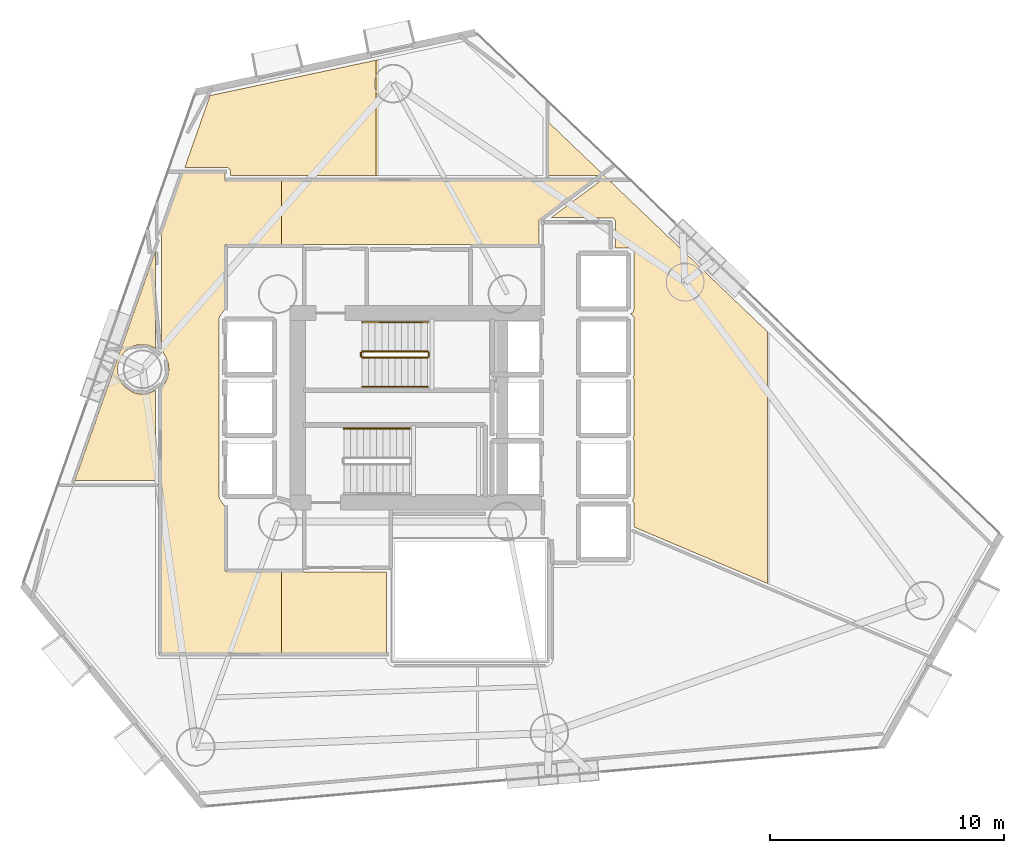
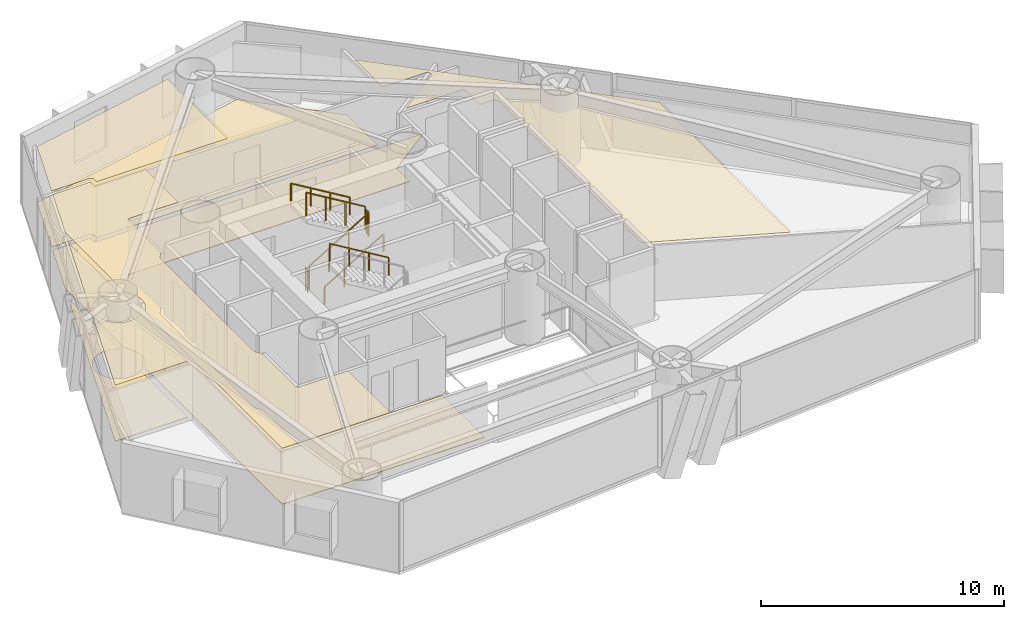
# One storey, part 22 of 23: 7 coverings, 7 railings.
"""IFC4 building model written with IfcOpenShell, lengths in metres."""

import ifcopenshell
import ifcopenshell.guid

model = None  # the IFC model being written
_history = None  # IfcOwnerHistory: only IFC2X3 demands one
_inside = {}  # id of a spatial element -> (the spatial element, [elements in it])
_under = {}  # id of a project, library or spatial element -> (it, [spatial elements below it])
_declared = {}  # id of a project -> (the project, [libraries it declares])
_typed = {}  # id of a type object -> (the type object, [elements of that type])
_made_of = {}  # id of a material, layer set ... -> (it, [elements and type objects made of it])


def new_model(schema):
    """Start an empty IFC model of exactly this schema.

    Asked for "IFC4X3", IfcOpenShell would pick the latest addendum, in which some entities
    have other attributes; the version numbers below select the first issue.
    IFC2X3 requires an IfcOwnerHistory on every rooted entity: one is made here for all.
    """
    global model, _history
    if schema == "IFC4X3":
        model = ifcopenshell.file(schema_version=(4, 3, 0, 0))
    else:
        model = ifcopenshell.file(schema=schema)
    _inside.clear()
    _under.clear()
    _declared.clear()
    _typed.clear()
    _made_of.clear()
    _history = None
    if model.schema == "IFC2X3":
        org = make("IfcOrganization", Name="unknown")
        user = make(
            "IfcPersonAndOrganization",
            ThePerson=make("IfcPerson", FamilyName="unknown"),
            TheOrganization=org,
        )
        app = make(
            "IfcApplication",
            ApplicationDeveloper=org,
            Version="unknown",
            ApplicationFullName="unknown",
            ApplicationIdentifier="unknown",
        )
        _history = make(
            "IfcOwnerHistory",
            OwningUser=user,
            OwningApplication=app,
            ChangeAction="ADDED",
            CreationDate=0,
        )
    return model


def make(cls, **values):
    """One entity of the class cls with the attributes given. An attribute that is None is left unset."""
    return model.create_entity(
        cls, **{name: value for name, value in values.items() if value is not None}
    )


def rooted(cls, **values):
    """An entity with a GlobalId (a new one), such as an element, a storey or a relation."""
    return make(cls, GlobalId=ifcopenshell.guid.new(), OwnerHistory=_history, **values)


def si_unit(unit_type, name, prefix=None):
    """IfcSIUnit, for example si_unit("LENGTHUNIT", "METRE", prefix="MILLI")."""
    return make("IfcSIUnit", UnitType=unit_type, Prefix=prefix, Name=name)


def assignment(units):
    """IfcUnitAssignment: the units of a project."""
    return None if units is None else make("IfcUnitAssignment", Units=units)


def point(xyz):
    """IfcCartesianPoint."""
    return None if xyz is None else make("IfcCartesianPoint", Coordinates=xyz)


def direction(xyz):
    """IfcDirection."""
    return None if xyz is None else make("IfcDirection", DirectionRatios=xyz)


def frame(location, z_axis=None, x_axis=None):
    """IfcAxis2Placement3D, a coordinate frame: its origin and axes. An axis left out is left unset."""
    return make(
        "IfcAxis2Placement3D",
        Location=point(location),
        Axis=direction(z_axis),
        RefDirection=direction(x_axis),
    )


def frame_2d(location, x_axis=None):
    """IfcAxis2Placement2D, a coordinate frame in the plane: its origin and x axis."""
    return make(
        "IfcAxis2Placement2D", Location=point(location), RefDirection=direction(x_axis)
    )


def origin():
    """The frame at (0, 0, 0) with its axes left unset."""
    return frame((0.0, 0.0, 0.0))


def origin_2d():
    """The frame at (0, 0) in the plane with its x axis left unset."""
    return frame_2d((0.0, 0.0))


def place(relative_to, where):
    """IfcLocalPlacement: puts the frame where relative to a parent placement (None: the world)."""
    return make(
        "IfcLocalPlacement", PlacementRelTo=relative_to, RelativePlacement=where
    )


def context(
    kind, dimensions, precision=None, world=None, true_north=None, identifier=None
):
    """IfcGeometricRepresentationContext, for example the 3D "Model" context."""
    return make(
        "IfcGeometricRepresentationContext",
        ContextIdentifier=identifier,
        ContextType=kind,
        CoordinateSpaceDimension=dimensions,
        Precision=precision,
        WorldCoordinateSystem=world,
        TrueNorth=true_north,
    )


def subcontext(parent, identifier, kind, view, scale=None):
    """IfcGeometricRepresentationSubContext, for example "Body" below "Model"."""
    return make(
        "IfcGeometricRepresentationSubContext",
        ContextIdentifier=identifier,
        ContextType=kind,
        ParentContext=parent,
        TargetScale=scale,
        TargetView=view,
    )


def project(units=None, contexts=None):
    """IfcProject with its units and contexts."""
    return rooted(
        "IfcProject",
        Name="project",
        RepresentationContexts=contexts,
        UnitsInContext=assignment(units),
    )


def spatial(cls, under=None, at=None, **own):
    """A site, building, storey or space (cls), placed at a placement, below another one or the project."""
    s = rooted(cls, ObjectPlacement=at, **own)
    if under is not None:
        _under.setdefault(under.id(), (under, []))[1].append(s)
    return s


def polyline(points):
    """IfcPolyline through the points."""
    return make("IfcPolyline", Points=[point(p) for p in points])


def profile(cls, at=None, kind="AREA", **sizes):
    """A parametric profile (cls). Its sizes go by their IFC names, for example OverallWidth=200.0."""
    return make(cls, ProfileType=kind, Position=at, **sizes)


def rectangle(**sizes):
    """IfcRectangleProfileDef."""
    return profile("IfcRectangleProfileDef", **sizes)


def outline(outer, holes=None, kind="AREA"):
    """IfcArbitraryClosedProfileDef: a profile drawn as a closed curve; with holes, ...WithVoids."""
    if holes is None:
        return make("IfcArbitraryClosedProfileDef", ProfileType=kind, OuterCurve=outer)
    return make(
        "IfcArbitraryProfileDefWithVoids",
        ProfileType=kind,
        OuterCurve=outer,
        InnerCurves=holes,
    )


def extrude(swept, where, along, depth):
    """IfcExtrudedAreaSolid: the profile swept, set in the frame where, extruded along a direction by depth."""
    return make(
        "IfcExtrudedAreaSolid",
        SweptArea=swept,
        Position=where,
        ExtrudedDirection=direction(along),
        Depth=depth,
    )


def shape(context_of_items, identifier, shape_type, items):
    """IfcShapeRepresentation: the items that make up one representation, for example the "Body"."""
    return make(
        "IfcShapeRepresentation",
        ContextOfItems=context_of_items,
        RepresentationIdentifier=identifier,
        RepresentationType=shape_type,
        Items=items,
    )


def material(Name=None, Category=None):
    """IfcMaterial."""
    return make("IfcMaterial", Name=Name, Category=Category)


def layer(
    of_material, thickness, ventilated=None, Name=None, Category=None, Priority=None
):
    """IfcMaterialLayer: one layer of a wall or slab, of a material (None: an air gap)."""
    return make(
        "IfcMaterialLayer",
        Material=of_material,
        LayerThickness=thickness,
        IsVentilated=ventilated,
        Name=Name,
        Category=Category,
        Priority=Priority,
    )


def layer_set(layers, Name=None):
    """IfcMaterialLayerSet."""
    return make("IfcMaterialLayerSet", MaterialLayers=layers, LayerSetName=Name)


def made_of(thing, what):
    """Note that an element or type object is made of a material, layer set ...; save() writes the relation."""
    if what is not None:
        _made_of.setdefault(what.id(), (what, []))[1].append(thing)
    return thing


def type_object(cls, material=None, **own):
    """A type object (cls), such as IfcWallType, which elements share."""
    return made_of(rooted(cls, **own), material)


def element(
    cls,
    number,
    at=None,
    inside=None,
    cuts=None,
    type_object=None,
    material=None,
    context=None,
    identifier="Body",
    shape_type=None,
    held_by="IfcProductDefinitionShape",
    body=None,
    shapes=None,
    **own,
):
    """One element of the class cls, such as IfcWall. Its Tag is "e" and its number.

    at: its placement. inside: the storey or other place that contains it. cuts: it is an
    opening in that element (IfcRelVoidsElement). A single representation is given by context,
    identifier, shape_type and body (its items); several are given by shapes. held_by: the class
    of the entity that holds the representations. save() writes the other relations.
    """
    e = rooted(cls, Tag="e%d" % number, ObjectPlacement=at, **own)
    if body is not None:
        shapes = [shape(context, identifier, shape_type, body)]
    if shapes is not None:
        e.Representation = make(held_by, Representations=shapes)
    if inside is not None:
        _inside.setdefault(inside.id(), (inside, []))[1].append(e)
    if cuts is not None:
        rooted(
            "IfcRelVoidsElement", RelatingBuildingElement=cuts, RelatedOpeningElement=e
        )
    if type_object is not None:
        _typed.setdefault(type_object.id(), (type_object, []))[1].append(e)
    return made_of(e, material)


def aggregate(whole, parts):
    """IfcRelAggregates: a whole, such as a stair, and the parts it consists of."""
    return rooted("IfcRelAggregates", RelatingObject=whole, RelatedObjects=parts)


def save(model, path):
    """Write the relations noted so far, then the file.

    IfcRelAggregates (storeys below a building ...), IfcRelContainedInSpatialStructure (elements
    in a storey), IfcRelDefinesByType, IfcRelAssociatesMaterial and IfcRelDeclares: one each for
    every whole, place, type object, material and project.
    """
    for whole, parts in _under.values():
        aggregate(whole, parts)
    for where, things in _inside.values():
        rooted(
            "IfcRelContainedInSpatialStructure",
            RelatedElements=things,
            RelatingStructure=where,
        )
    for kind, things in _typed.values():
        rooted("IfcRelDefinesByType", RelatedObjects=things, RelatingType=kind)
    for what, things in _made_of.values():
        rooted("IfcRelAssociatesMaterial", RelatedObjects=things, RelatingMaterial=what)
    for by, libraries in _declared.values():
        rooted("IfcRelDeclares", RelatingContext=by, RelatedDefinitions=libraries)
    model.write(path)


model = new_model("IFC4")

# Units and contexts
model_context = context("Model", 3, precision=1e-05, world=origin(), true_north=direction((0.0, 1.0)))
body_context = subcontext(model_context, "Body", "Model", "MODEL_VIEW")
ifc_project = project(units=[si_unit("LENGTHUNIT", "METRE"), si_unit("AREAUNIT", "SQUARE_METRE"), si_unit("VOLUMEUNIT", "CUBIC_METRE"), si_unit("PLANEANGLEUNIT", "RADIAN"), si_unit("MASSUNIT", "GRAM", prefix="KILO")], contexts=[model_context])

# Site, building, storey
site_placement = place(None, origin())
site = spatial("IfcSite", under=ifc_project, at=site_placement, CompositionType="ELEMENT")
building_placement = place(site_placement, origin())
building = spatial("IfcBuilding", under=site, at=building_placement, Name="Qianvela Tower", CompositionType="ELEMENT")
storey_placement = place(building_placement, frame((0.0, 0.0, 63.60009765625)))
storey = spatial("IfcBuildingStorey", under=building, at=storey_placement, Name="L15", CompositionType="ELEMENT", Elevation=63.60009765625)

# Coverings
ifc_material_1 = material(Name="Perforated Mineral Acoustic Ceiling Tile")
ifc_layer_1 = layer(ifc_material_1, 0.02490234375)
ifc_layer_set_1 = layer_set([ifc_layer_1], Name="Perforated Mineral Acoustic Ceiling Tile")
covering_type_1 = type_object("IfcCoveringType", Name="COV-CEIL-ACOUSTIC-25", PredefinedType="CEILING", material=ifc_layer_set_1)
covering_1_placement = place(storey_placement, frame((0.0, 0.0, 2.81494140625)))
element("IfcCovering", 1, at=covering_1_placement, inside=storey, type_object=covering_type_1, Name="L15 Acoustic Ceiling Bay 1 L15 Floor Corridor", PredefinedType="CEILING", context=body_context, shape_type="SweptSolid", body=[
    extrude(outline(polyline([(23.868408203125, 30.7705078125), (23.864990234375, 30.777587890625), (23.6298828125, 31.21728515625), (23.6298828125, 36.09130859375), (24.5537109375, 38.719970703125), (26.340087890625, 38.719970703125), (26.340087890625, 38.449951171875), (26.34033203125, 38.442138671875), (26.341552734375, 38.434326171875), (26.343505859375, 38.4267578125), (26.34619140625, 38.41943359375), (26.349365234375, 38.412353515625), (26.353515625, 38.405517578125), (26.358154296875, 38.399169921875), (26.36328125, 38.393310546875), (26.369140625, 38.38818359375), (26.37548828125, 38.383544921875), (26.38232421875, 38.37939453125), (26.389404296875, 38.376220703125), (26.396728515625, 38.373291015625), (26.404296875, 38.37158203125), (26.412109375, 38.370361328125), (26.419921875, 38.3701171875), (28.760009765625, 38.3701171875), (28.760009765625, 35.659912109375), (26.419921875, 35.659912109375), (26.412109375, 35.65966796875), (26.404296875, 35.658447265625), (26.396728515625, 35.656494140625), (26.389404296875, 35.65380859375), (26.38232421875, 35.650634765625), (26.37548828125, 35.646484375), (26.369140625, 35.641845703125), (26.36328125, 35.63671875), (26.358154296875, 35.630859375), (26.353515625, 35.62451171875), (26.349365234375, 35.61767578125), (26.34619140625, 35.610595703125), (26.343505859375, 35.603271484375), (26.341552734375, 35.595703125), (26.34033203125, 35.587890625), (26.340087890625, 35.580078125), (26.340087890625, 32.89599609375), (26.139404296875, 32.62548828125), (26.135498046875, 32.61962890625), (26.132080078125, 32.61376953125), (26.12939453125, 32.607421875), (26.126953125, 32.60107421875), (26.103515625, 32.523193359375), (26.1015625, 32.515625), (26.100341796875, 32.5078125), (26.10009765625, 32.5), (26.10009765625, 24.89990234375), (26.100341796875, 24.89208984375), (26.1015625, 24.884521484375), (26.103515625, 24.876708984375), (26.126953125, 24.799072265625), (26.12939453125, 24.79248046875), (26.132080078125, 24.786376953125), (26.135498046875, 24.7802734375), (26.139404296875, 24.774658203125), (26.340087890625, 24.50390625), (26.340087890625, 21.780029296875), (26.34033203125, 21.772216796875), (26.341552734375, 21.764404296875), (26.343505859375, 21.7568359375), (26.34619140625, 21.74951171875), (26.349365234375, 21.7421875), (26.353515625, 21.735595703125), (26.358154296875, 21.729248046875), (26.36328125, 21.723388671875), (26.369140625, 21.71826171875), (26.37548828125, 21.71337890625), (26.38232421875, 21.70947265625), (26.389404296875, 21.7060546875), (26.396728515625, 21.703369140625), (26.404296875, 21.701416015625), (26.412109375, 21.700439453125), (26.419921875, 21.699951171875), (28.760009765625, 21.699951171875), (28.760009765625, 18.22998046875), (23.6298828125, 18.22998046875), (23.6298828125, 29.462646484375), (23.864990234375, 29.90234375), (23.868408203125, 29.909423828125), (23.87109375, 29.9169921875), (23.930419921875, 30.11279296875), (23.932373046875, 30.12060546875), (23.93359375, 30.12841796875), (23.95361328125, 30.332275390625), (23.9541015625, 30.340087890625), (23.95361328125, 30.347900390625), (23.93359375, 30.5517578125), (23.932373046875, 30.5595703125), (23.930419921875, 30.567138671875), (23.87109375, 30.76318359375), (23.868408203125, 30.7705078125)])), origin(), (0.0, 0.0, 1.0), 0.02490234375),
])
covering_2_placement = place(storey_placement, frame((0.0, 0.0, 2.81494140625)))
element("IfcCovering", 2, at=covering_2_placement, inside=storey, type_object=covering_type_1, Name="L15 Acoustic Ceiling Bay 1 Maker Craft Workshop L15-02", PredefinedType="CEILING", context=body_context, shape_type="SweptSolid", body=[
    extrude(outline(polyline([(42.298583984375, 38.321533203125), (42.303955078125, 38.326171875), (42.30908203125, 38.3310546875), (42.31396484375, 38.336669921875), (42.318115234375, 38.342529296875), (42.32177734375, 38.3486328125), (42.35400390625, 38.410400390625), (42.357177734375, 38.417236328125), (42.359619140625, 38.424560546875), (42.361572265625, 38.431884765625), (42.362548828125, 38.439208984375), (42.363037109375, 38.44677734375), (42.36279296875, 38.454345703125), (42.36181640625, 38.4619140625), (42.360107421875, 38.46923828125), (42.357666015625, 38.476318359375), (42.335205078125, 38.53466796875), (42.331787109375, 38.5419921875), (42.327880859375, 38.548828125), (42.3232421875, 38.555419921875), (42.31787109375, 38.561279296875), (42.31201171875, 38.56689453125), (42.3056640625, 38.57177734375), (42.298828125, 38.575927734375), (42.291748046875, 38.579345703125), (42.234375, 38.603759765625), (42.226806640625, 38.6064453125), (42.218994140625, 38.6083984375), (42.211181640625, 38.609619140625), (42.203125, 38.610107421875), (40.162109375, 38.610107421875), (40.162109375, 40.871337890625), (49.487060546875, 31.9560546875), (49.487060546875, 21.20361328125), (43.7998046875, 23.609130859375), (43.79931640625, 24.61376953125), (43.798828125, 24.622314453125), (43.797607421875, 24.630615234375), (43.79541015625, 24.638916015625), (43.792236328125, 24.646728515625), (43.788330078125, 24.654296875), (43.78369140625, 24.661376953125), (43.72509765625, 24.740234375), (43.725830078125, 24.740478515625), (43.733154296875, 24.7451171875), (43.73974609375, 24.75), (43.74609375, 24.755859375), (43.75146484375, 24.76220703125), (43.75634765625, 24.76904296875), (43.76025390625, 24.776611328125), (43.763427734375, 24.7841796875), (43.79541015625, 24.873046875), (43.79736328125, 24.879638671875), (43.798828125, 24.88623046875), (43.7998046875, 24.89306640625), (43.800048828125, 24.89990234375), (43.800048828125, 27.300048828125), (43.799560546875, 27.30810546875), (43.79833984375, 27.31591796875), (43.79638671875, 27.323486328125), (43.793701171875, 27.3310546875), (43.7646484375, 27.39990234375), (43.793701171875, 27.468994140625), (43.79638671875, 27.476318359375), (43.79833984375, 27.484130859375), (43.799560546875, 27.491943359375), (43.800048828125, 27.5), (43.800048828125, 29.89990234375), (43.799560546875, 29.907958984375), (43.79833984375, 29.915771484375), (43.79638671875, 29.923583984375), (43.793701171875, 29.93115234375), (43.7646484375, 30.0), (43.793701171875, 30.06884765625), (43.79638671875, 30.076416015625), (43.79833984375, 30.084228515625), (43.799560546875, 30.09228515625), (43.800048828125, 30.10009765625), (43.7939453125, 32.540771484375), (43.793701171875, 32.548583984375), (43.79248046875, 32.556396484375), (43.79052734375, 32.56396484375), (43.787841796875, 32.5712890625), (43.784423828125, 32.578369140625), (43.780517578125, 32.585205078125), (43.7353515625, 32.652587890625), (43.73095703125, 32.658447265625), (43.726318359375, 32.6640625), (43.720947265625, 32.6689453125), (43.715087890625, 32.673583984375), (43.708984375, 32.677490234375), (43.702392578125, 32.680908203125), (43.69580078125, 32.68359375), (43.644287109375, 32.701904296875), (43.722412109375, 32.739013671875), (43.729248046875, 32.74267578125), (43.73583984375, 32.746826171875), (43.741943359375, 32.751953125), (43.74755859375, 32.757568359375), (43.75244140625, 32.763427734375), (43.7568359375, 32.77001953125), (43.760498046875, 32.777099609375), (43.763427734375, 32.7841796875), (43.79541015625, 32.873046875), (43.79736328125, 32.879638671875), (43.798828125, 32.886474609375), (43.7998046875, 32.893310546875), (43.800048828125, 32.900146484375), (43.79736328125, 35.327392578125), (43.796875, 35.3359375), (43.79541015625, 35.344482421875), (43.793212890625, 35.352783203125), (43.7900390625, 35.36083984375), (43.785888671875, 35.368408203125), (43.7373046875, 35.44921875), (43.732666015625, 35.456298828125), (43.727294921875, 35.462890625), (43.72119140625, 35.46875), (43.71435546875, 35.47412109375), (43.70703125, 35.478515625), (43.699462890625, 35.482177734375), (43.624267578125, 35.51318359375), (43.616943359375, 35.515869140625), (43.609375, 35.517822265625), (43.6015625, 35.518798828125), (43.59375, 35.519287109375), (43.0, 35.52001953125), (43.010009765625, 36.6494140625), (43.009765625, 36.6572265625), (43.008544921875, 36.6650390625), (43.006591796875, 36.6728515625), (43.00390625, 36.680419921875), (43.00048828125, 36.6875), (42.99658203125, 36.6943359375), (42.947021484375, 36.768310546875), (42.9423828125, 36.774658203125), (42.937255859375, 36.780517578125), (42.931396484375, 36.78564453125), (42.925048828125, 36.790283203125), (42.91845703125, 36.79443359375), (42.911376953125, 36.7978515625), (42.904052734375, 36.80029296875), (42.896484375, 36.80224609375), (42.888671875, 36.803466796875), (42.880859375, 36.803955078125), (40.262451171875, 36.8095703125), (42.298583984375, 38.321533203125)])), origin(), (0.0, 0.0, 1.0), 0.02490234375),
])
covering_3_placement = place(storey_placement, frame((0.0, 0.0, 2.81494140625)))
element("IfcCovering", 3, at=covering_3_placement, inside=storey, type_object=covering_type_1, Name="L15 Acoustic Ceiling Bay 1 Student Reading Library L15-03", PredefinedType="CEILING", context=body_context, shape_type="SweptSolid", body=[
    extrude(outline(polyline([(26.577880859375, 38.82373046875), (26.576904296875, 38.83154296875), (26.574951171875, 38.839111328125), (26.572265625, 38.846435546875), (26.56884765625, 38.853515625), (26.56494140625, 38.860107421875), (26.560302734375, 38.866455078125), (26.554931640625, 38.872314453125), (26.4921875, 38.93505859375), (26.486328125, 38.940185546875), (26.47998046875, 38.945068359375), (26.473388671875, 38.948974609375), (26.46630859375, 38.952392578125), (26.458984375, 38.955078125), (26.451416015625, 38.956787109375), (26.443603515625, 38.9580078125), (26.435791015625, 38.95849609375), (24.637939453125, 38.9599609375), (25.712890625, 42.01953125), (32.791259765625, 43.52734375), (32.791259765625, 38.606201171875), (26.57958984375, 38.610107421875), (26.57861328125, 38.81591796875), (26.577880859375, 38.82373046875)])), origin(), (0.0, 0.0, 1.0), 0.02490234375),
])
covering_4_placement = place(storey_placement, frame((0.0, 0.0, 2.81494140625)))
element("IfcCovering", 4, at=covering_4_placement, inside=storey, type_object=covering_type_1, Name="L15 Acoustic Ceiling Media Practice Cinema L15-04", PredefinedType="CEILING", context=body_context, shape_type="SweptSolid", body=[
    extrude(outline(polyline([(23.39013671875, 29.440185546875), (23.39453125, 25.587158203125), (19.939208984375, 25.587158203125), (23.389892578125, 35.408203125), (23.390380859375, 31.23974609375), (23.0517578125, 31.3798828125), (23.04443359375, 31.382568359375), (23.036865234375, 31.384521484375), (23.029052734375, 31.3857421875), (23.021240234375, 31.385986328125), (22.63671875, 31.385986328125), (22.62890625, 31.3857421875), (22.62109375, 31.384521484375), (22.613525390625, 31.382568359375), (22.4287109375, 31.32666015625), (22.42138671875, 31.323974609375), (22.414306640625, 31.320556640625), (22.40771484375, 31.31640625), (22.088134765625, 31.10302734375), (22.081787109375, 31.098388671875), (22.075927734375, 31.093017578125), (22.07080078125, 31.08740234375), (21.9482421875, 30.93798828125), (21.943603515625, 30.931640625), (21.939453125, 30.9248046875), (21.93603515625, 30.91796875), (21.7890625, 30.562744140625), (21.786376953125, 30.555419921875), (21.784423828125, 30.5478515625), (21.783203125, 30.5400390625), (21.764404296875, 30.347900390625), (21.763916015625, 30.340087890625), (21.764404296875, 30.332275390625), (21.783203125, 30.139892578125), (21.784423828125, 30.132080078125), (21.786376953125, 30.12451171875), (21.7890625, 30.1171875), (21.93603515625, 29.76220703125), (21.939453125, 29.755126953125), (21.943603515625, 29.748291015625), (21.9482421875, 29.741943359375), (22.07080078125, 29.5927734375), (22.075927734375, 29.5869140625), (22.081787109375, 29.581787109375), (22.088134765625, 29.576904296875), (22.40771484375, 29.363525390625), (22.414306640625, 29.359375), (22.42138671875, 29.356201171875), (22.4287109375, 29.353515625), (22.613525390625, 29.29736328125), (22.62109375, 29.29541015625), (22.62890625, 29.294189453125), (22.63671875, 29.2939453125), (23.021240234375, 29.2939453125), (23.029052734375, 29.294189453125), (23.036865234375, 29.29541015625), (23.04443359375, 29.29736328125), (23.0517578125, 29.300048828125), (23.39013671875, 29.440185546875)])), origin(), (0.0, 0.0, 1.0), 0.02490234375),
])
ifc_material_2 = material(Name="Engineered Acoustic Oak Timber Flooring", Category="wood")
ifc_layer_2 = layer(ifc_material_2, 0.02001953125)
ifc_layer_set_2 = layer_set([ifc_layer_2], Name="Engineered Acoustic Oak Timber Flooring")
covering_type_2 = type_object("IfcCoveringType", Name="COV-FLOOR-OAK-20", PredefinedType="FLOORING", material=ifc_layer_set_2)
covering_5_placement = place(storey_placement, origin())
element("IfcCovering", 5, at=covering_5_placement, inside=storey, type_object=covering_type_2, Name="L15 Finish Flooring Student Reading Library L15-03", PredefinedType="FLOORING", context=body_context, shape_type="SweptSolid", body=[
    extrude(outline(polyline([(26.57861328125, 38.81591796875), (26.577880859375, 38.82373046875), (26.576904296875, 38.83154296875), (26.574951171875, 38.839111328125), (26.572265625, 38.846435546875), (26.56884765625, 38.853515625), (26.56494140625, 38.860107421875), (26.560302734375, 38.866455078125), (26.554931640625, 38.872314453125), (26.4921875, 38.93505859375), (26.486328125, 38.940185546875), (26.47998046875, 38.945068359375), (26.473388671875, 38.948974609375), (26.46630859375, 38.952392578125), (26.458984375, 38.955078125), (26.451416015625, 38.956787109375), (26.443603515625, 38.9580078125), (26.435791015625, 38.95849609375), (24.637939453125, 38.9599609375), (25.712890625, 42.01953125), (36.547119140625, 44.327392578125), (39.918212890625, 41.1044921875), (39.918212890625, 38.6015625), (26.57958984375, 38.610107421875), (26.57861328125, 38.81591796875)])), origin(), (0.0, 0.0, 1.0), 0.02001953125),
])
covering_6_placement = place(storey_placement, origin())
element("IfcCovering", 6, at=covering_6_placement, inside=storey, type_object=covering_type_2, Name="L15 Finish Flooring Media Practice Cinema L15-04", PredefinedType="FLOORING", context=body_context, shape_type="SweptSolid", body=[
    extrude(outline(polyline([(23.39013671875, 29.440185546875), (23.39453125, 25.587158203125), (19.939208984375, 25.587158203125), (23.389892578125, 35.408203125), (23.390380859375, 31.23974609375), (23.0517578125, 31.3798828125), (23.04443359375, 31.382568359375), (23.036865234375, 31.384521484375), (23.029052734375, 31.3857421875), (23.021240234375, 31.385986328125), (22.63671875, 31.385986328125), (22.62890625, 31.3857421875), (22.62109375, 31.384521484375), (22.613525390625, 31.382568359375), (22.4287109375, 31.32666015625), (22.42138671875, 31.323974609375), (22.414306640625, 31.320556640625), (22.40771484375, 31.31640625), (22.088134765625, 31.10302734375), (22.081787109375, 31.098388671875), (22.075927734375, 31.093017578125), (22.07080078125, 31.08740234375), (21.9482421875, 30.93798828125), (21.943603515625, 30.931640625), (21.939453125, 30.9248046875), (21.93603515625, 30.91796875), (21.7890625, 30.562744140625), (21.786376953125, 30.555419921875), (21.784423828125, 30.5478515625), (21.783203125, 30.5400390625), (21.764404296875, 30.347900390625), (21.763916015625, 30.340087890625), (21.764404296875, 30.332275390625), (21.783203125, 30.139892578125), (21.784423828125, 30.132080078125), (21.786376953125, 30.12451171875), (21.7890625, 30.1171875), (21.93603515625, 29.76220703125), (21.939453125, 29.755126953125), (21.943603515625, 29.748291015625), (21.9482421875, 29.741943359375), (22.07080078125, 29.5927734375), (22.075927734375, 29.5869140625), (22.081787109375, 29.581787109375), (22.088134765625, 29.576904296875), (22.40771484375, 29.363525390625), (22.414306640625, 29.359375), (22.42138671875, 29.356201171875), (22.4287109375, 29.353515625), (22.613525390625, 29.29736328125), (22.62109375, 29.29541015625), (22.62890625, 29.294189453125), (22.63671875, 29.2939453125), (23.021240234375, 29.2939453125), (23.029052734375, 29.294189453125), (23.036865234375, 29.29541015625), (23.04443359375, 29.29736328125), (23.0517578125, 29.300048828125), (23.39013671875, 29.440185546875)])), origin(), (0.0, 0.0, 1.0), 0.02001953125),
])
ifc_material_3 = material(Name="Honed Stone Terrazzo Flooring", Category="masonry")
ifc_layer_3 = layer(ifc_material_3, 0.030029296875)
ifc_layer_set_3 = layer_set([ifc_layer_3], Name="Honed Stone Terrazzo Flooring")
covering_type_3 = type_object("IfcCoveringType", Name="COV-FLOOR-TERRAZZO-30", PredefinedType="FLOORING", material=ifc_layer_set_3)
covering_7_placement = place(storey_placement, origin())
element("IfcCovering", 7, at=covering_7_placement, inside=storey, type_object=covering_type_3, Name="L15 Finish Flooring L15 Floor Corridor", PredefinedType="FLOORING", context=body_context, shape_type="SweptSolid", body=[
    extrude(outline(polyline([(23.87109375, 30.76318359375), (23.868408203125, 30.7705078125), (23.864990234375, 30.777587890625), (23.6298828125, 31.21728515625), (23.6298828125, 36.09130859375), (24.5537109375, 38.719970703125), (26.340087890625, 38.719970703125), (26.340087890625, 38.449951171875), (26.34033203125, 38.442138671875), (26.341552734375, 38.434326171875), (26.343505859375, 38.4267578125), (26.34619140625, 38.41943359375), (26.349365234375, 38.412353515625), (26.353515625, 38.405517578125), (26.358154296875, 38.399169921875), (26.36328125, 38.393310546875), (26.369140625, 38.38818359375), (26.37548828125, 38.383544921875), (26.38232421875, 38.37939453125), (26.389404296875, 38.376220703125), (26.396728515625, 38.373291015625), (26.404296875, 38.37158203125), (26.412109375, 38.370361328125), (26.419921875, 38.3701171875), (41.961181640625, 38.3701171875), (39.784423828125, 36.753662109375), (39.778076171875, 36.748291015625), (39.772216796875, 36.742431640625), (39.76708984375, 36.736083984375), (39.7626953125, 36.729248046875), (39.759033203125, 36.721923828125), (39.756103515625, 36.71435546875), (39.75390625, 36.70654296875), (39.752685546875, 36.698486328125), (39.752197265625, 36.690185546875), (39.739013671875, 35.659912109375), (26.419921875, 35.659912109375), (26.412109375, 35.65966796875), (26.404296875, 35.658447265625), (26.396728515625, 35.656494140625), (26.389404296875, 35.65380859375), (26.38232421875, 35.650634765625), (26.37548828125, 35.646484375), (26.369140625, 35.641845703125), (26.36328125, 35.63671875), (26.358154296875, 35.630859375), (26.353515625, 35.62451171875), (26.349365234375, 35.61767578125), (26.34619140625, 35.610595703125), (26.343505859375, 35.603271484375), (26.341552734375, 35.595703125), (26.34033203125, 35.587890625), (26.340087890625, 35.580078125), (26.340087890625, 32.89599609375), (26.139404296875, 32.62548828125), (26.135498046875, 32.61962890625), (26.132080078125, 32.61376953125), (26.12939453125, 32.607421875), (26.126953125, 32.60107421875), (26.103515625, 32.523193359375), (26.1015625, 32.515625), (26.100341796875, 32.5078125), (26.10009765625, 32.5), (26.10009765625, 24.89990234375), (26.100341796875, 24.89208984375), (26.1015625, 24.884521484375), (26.103515625, 24.876708984375), (26.126953125, 24.799072265625), (26.12939453125, 24.79248046875), (26.132080078125, 24.786376953125), (26.135498046875, 24.7802734375), (26.139404296875, 24.774658203125), (26.340087890625, 24.50390625), (26.340087890625, 21.780029296875), (26.34033203125, 21.772216796875), (26.341552734375, 21.764404296875), (26.343505859375, 21.7568359375), (26.34619140625, 21.74951171875), (26.349365234375, 21.7421875), (26.353515625, 21.735595703125), (26.358154296875, 21.729248046875), (26.36328125, 21.723388671875), (26.369140625, 21.71826171875), (26.37548828125, 21.71337890625), (26.38232421875, 21.70947265625), (26.389404296875, 21.7060546875), (26.396728515625, 21.703369140625), (26.404296875, 21.701416015625), (26.412109375, 21.700439453125), (26.419921875, 21.699951171875), (33.239990234375, 21.699951171875), (33.239990234375, 18.22998046875), (23.6298828125, 18.22998046875), (23.6298828125, 29.462646484375), (23.864990234375, 29.90234375), (23.868408203125, 29.909423828125), (23.87109375, 29.9169921875), (23.930419921875, 30.11279296875), (23.932373046875, 30.12060546875), (23.93359375, 30.12841796875), (23.95361328125, 30.332275390625), (23.9541015625, 30.340087890625), (23.95361328125, 30.347900390625), (23.93359375, 30.5517578125), (23.932373046875, 30.5595703125), (23.930419921875, 30.567138671875), (23.87109375, 30.76318359375)])), origin(), (0.0, 0.0, 1.0), 0.02978515625),
])

# Railings
ifc_material_4 = material(Name="Painted Tubular Steel Q355B", Category="steel")
railing_type_1 = type_object("IfcRailingType", Name="RL-STAIR-GUARD-1200", PredefinedType="GUARDRAIL", material=ifc_material_4)
railing_1_placement = place(storey_placement, frame((32.199951171875, 30.840087890625, 0.16796875)))
element("IfcRailing", 8, at=railing_1_placement, inside=storey, type_object=railing_type_1, Name="L15 ST-1 stair guard 1", PredefinedType="GUARDRAIL", context=body_context, shape_type="SweptSolid", body=[
    extrude(rectangle(XDim=0.050048828125, YDim=0.0400390625, at=origin_2d()), frame((0.0, 0.0, 1.179931640625), z_axis=(0.857242210791, 0.0, 0.514913383045), x_axis=(0.0, 1.0, 0.0)), (0.0, 0.0, 1.0), 3.266357421875),
    extrude(rectangle(XDim=0.050048828125, YDim=0.050048828125, at=origin_2d()), origin(), (0.0, 0.0, 1.0), 1.159912109375),
    extrude(rectangle(XDim=0.050048828125, YDim=0.050048828125, at=origin_2d()), frame((0.933349609375, 0.0, 0.560546875)), (0.0, 0.0, 1.0), 1.159912109375),
    extrude(rectangle(XDim=0.050048828125, YDim=0.050048828125, at=origin_2d()), frame((1.86669921875, 0.0, 1.121337890625)), (0.0, 0.0, 1.0), 1.159912109375),
    extrude(rectangle(XDim=0.050048828125, YDim=0.050048828125, at=origin_2d()), frame((2.800048828125, 0.0, 1.681884765625)), (0.0, 0.0, 1.0), 1.159912109375),
])
railing_2_placement = place(storey_placement, frame((35.050048828125, 30.889892578125, 1.849853515625)))
element("IfcRailing", 9, at=railing_2_placement, inside=storey, type_object=railing_type_1, Name="L15 ST-1 stair guard 2", PredefinedType="GUARDRAIL", context=body_context, shape_type="SweptSolid", body=[
    extrude(rectangle(XDim=0.050048828125, YDim=0.0400390625, at=origin_2d()), frame((0.0, 0.0, 1.179931640625), z_axis=(0.0, 1.0, 0.0), x_axis=(-1.0, 0.0, 0.0)), (0.0, 0.0, 1.0), 0.16015625),
    extrude(rectangle(XDim=0.050048828125, YDim=0.050048828125, at=origin_2d()), origin(), (0.0, 0.0, 1.0), 1.159912109375),
    extrude(rectangle(XDim=0.050048828125, YDim=0.050048828125, at=origin_2d()), frame((0.0, 0.16015625, 0.0)), (0.0, 0.0, 1.0), 1.159912109375),
])
railing_3_placement = place(storey_placement, frame((35.0, 31.10009765625, 2.01806640625)))
element("IfcRailing", 10, at=railing_3_placement, inside=storey, type_object=railing_type_1, Name="L15 ST-1 stair guard 3", PredefinedType="GUARDRAIL", context=body_context, shape_type="SweptSolid", body=[
    extrude(rectangle(XDim=0.050048828125, YDim=0.0400390625, at=origin_2d()), frame((0.0, 0.0, 1.179931640625), z_axis=(-0.857242210791, 0.0, 0.514913383045), x_axis=(0.0, -1.0, 0.0)), (0.0, 0.0, 1.0), 3.266357421875),
    extrude(rectangle(XDim=0.050048828125, YDim=0.050048828125, at=origin_2d()), origin(), (0.0, 0.0, 1.0), 1.159912109375),
    extrude(rectangle(XDim=0.050048828125, YDim=0.050048828125, at=origin_2d()), frame((-0.933349609375, 0.0, 0.560546875)), (0.0, 0.0, 1.0), 1.159912109375),
    extrude(rectangle(XDim=0.050048828125, YDim=0.050048828125, at=origin_2d()), frame((-1.86669921875, 0.0, 1.121337890625)), (0.0, 0.0, 1.0), 1.159912109375),
    extrude(rectangle(XDim=0.050048828125, YDim=0.050048828125, at=origin_2d()), frame((-2.800048828125, 0.0, 1.681884765625)), (0.0, 0.0, 1.0), 1.159912109375),
])
railing_4_placement = place(storey_placement, frame((32.14990234375, 30.889892578125, 0.0)))
element("IfcRailing", 11, at=railing_4_placement, inside=storey, type_object=railing_type_1, Name="L15 ST-1 stair guard 4", PredefinedType="GUARDRAIL", context=body_context, shape_type="SweptSolid", body=[
    extrude(rectangle(XDim=0.050048828125, YDim=0.0400390625, at=origin_2d()), frame((0.0, 0.0, 1.179931640625), z_axis=(0.0, 1.0, 0.0), x_axis=(-1.0, 0.0, 0.0)), (0.0, 0.0, 1.0), 0.16015625),
    extrude(rectangle(XDim=0.050048828125, YDim=0.050048828125, at=origin_2d()), origin(), (0.0, 0.0, 1.0), 1.159912109375),
    extrude(rectangle(XDim=0.050048828125, YDim=0.050048828125, at=origin_2d()), frame((0.0, 0.16015625, 0.0)), (0.0, 0.0, 1.0), 1.159912109375),
])
ifc_material_5 = material(Name="Brushed Stainless Steel 304", Category="steel")
railing_type_2 = type_object("IfcRailingType", Name="RL-STAIR-HANDRAIL-900", PredefinedType="HANDRAIL", material=ifc_material_5)
railing_5_placement = place(storey_placement, frame((32.199951171875, 29.590087890625, 0.16796875)))
element("IfcRailing", 12, at=railing_5_placement, inside=storey, type_object=railing_type_2, Name="L15 ST-1 stair handrail 1", PredefinedType="HANDRAIL", context=body_context, shape_type="SweptSolid", body=[
    extrude(rectangle(XDim=0.050048828125, YDim=0.0400390625, at=origin_2d()), frame((0.0, 0.0, 0.8798828125), z_axis=(0.857242210791, 0.0, 0.514913383045), x_axis=(0.0, 1.0, 0.0)), (0.0, 0.0, 1.0), 3.266357421875),
    extrude(rectangle(XDim=0.050048828125, YDim=0.050048828125, at=origin_2d()), origin(), (0.0, 0.0, 1.0), 0.85986328125),
    extrude(rectangle(XDim=0.050048828125, YDim=0.050048828125, at=origin_2d()), frame((0.933349609375, 0.0, 0.560546875)), (0.0, 0.0, 1.0), 0.85986328125),
    extrude(rectangle(XDim=0.050048828125, YDim=0.050048828125, at=origin_2d()), frame((1.86669921875, 0.0, 1.121337890625)), (0.0, 0.0, 1.0), 0.85986328125),
    extrude(rectangle(XDim=0.050048828125, YDim=0.050048828125, at=origin_2d()), frame((2.800048828125, 0.0, 1.681884765625)), (0.0, 0.0, 1.0), 0.85986328125),
])
for number, where, name in (
    (13, (35.0, 32.35009765625, 2.01806640625), "L15 ST-1 stair handrail 2"),
    (14, (34.219970703125, 27.81005859375, 2.01806640625), "L15 ST-2 stair handrail 2"),
):
    element("IfcRailing", number, at=place(storey_placement, frame(where)), inside=storey, type_object=railing_type_2, Name=name, PredefinedType="HANDRAIL", context=body_context, shape_type="SweptSolid", body=[
        extrude(rectangle(XDim=0.050048828125, YDim=0.0400390625, at=origin_2d()), frame((0.0, 0.0, 0.8798828125), z_axis=(-0.857242210791, 0.0, 0.514913383045), x_axis=(0.0, -1.0, 0.0)), (0.0, 0.0, 1.0), 3.266357421875),
        extrude(rectangle(XDim=0.050048828125, YDim=0.050048828125, at=origin_2d()), origin(), (0.0, 0.0, 1.0), 0.85986328125),
        extrude(rectangle(XDim=0.050048828125, YDim=0.050048828125, at=origin_2d()), frame((-0.933349609375, 0.0, 0.560546875)), (0.0, 0.0, 1.0), 0.85986328125),
        extrude(rectangle(XDim=0.050048828125, YDim=0.050048828125, at=origin_2d()), frame((-1.86669921875, 0.0, 1.121337890625)), (0.0, 0.0, 1.0), 0.85986328125),
        extrude(rectangle(XDim=0.050048828125, YDim=0.050048828125, at=origin_2d()), frame((-2.800048828125, 0.0, 1.681884765625)), (0.0, 0.0, 1.0), 0.85986328125),
    ])

save(model, "model.ifc")
